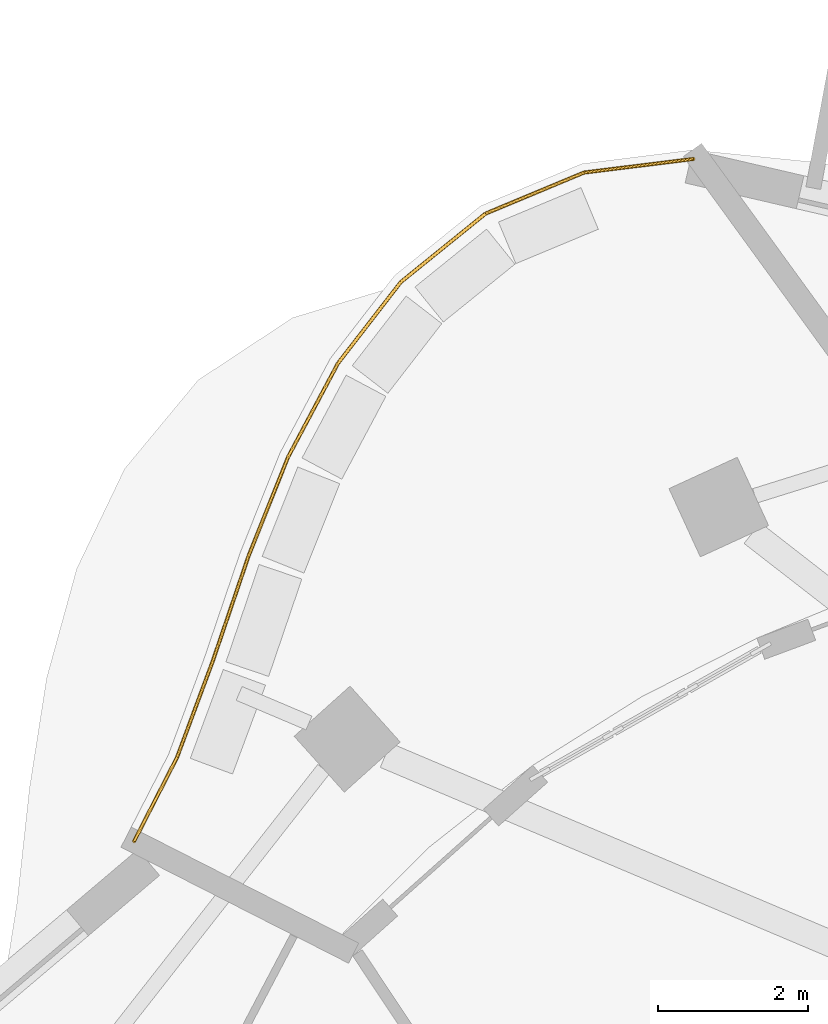
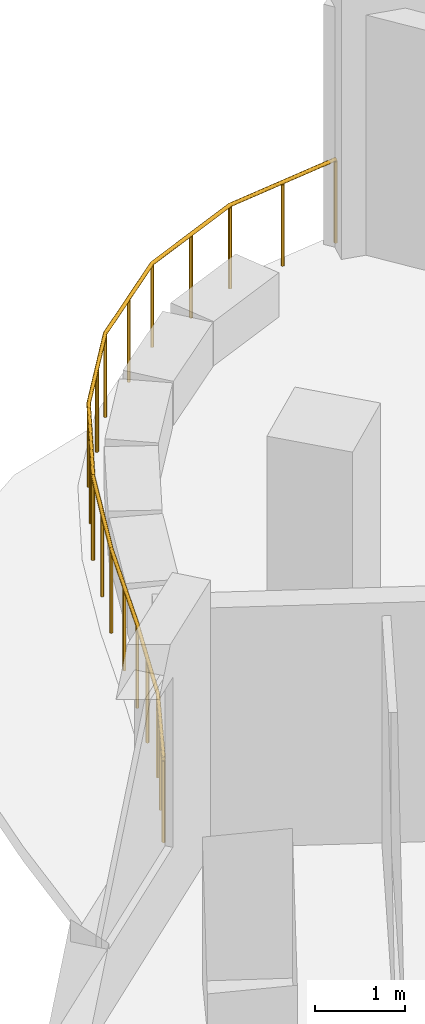
# One storey, part 13 of 13: 1 railing.
"""IFC4 building model written with IfcOpenShell, lengths in metres."""

from ifc_helpers import new_model, si_unit, direction, frame, origin, origin_2d, place, context, subcontext, project, spatial, circle, extrude, material, type_object, element, save


model = new_model("IFC4")

# Units and contexts
model_context = context("Model", 3, precision=1e-05, world=origin(), true_north=direction((0.0, 1.0)))
body_context = subcontext(model_context, "Body", "Model", "MODEL_VIEW")
ifc_project = project(units=[si_unit("LENGTHUNIT", "METRE"), si_unit("AREAUNIT", "SQUARE_METRE"), si_unit("VOLUMEUNIT", "CUBIC_METRE"), si_unit("PLANEANGLEUNIT", "RADIAN"), si_unit("MASSUNIT", "GRAM", prefix="KILO")], contexts=[model_context])

# Site, building, storey
site_placement = place(None, origin())
site = spatial("IfcSite", under=ifc_project, at=site_placement, CompositionType="ELEMENT")
building_placement = place(site_placement, origin())
building = spatial("IfcBuilding", under=site, at=building_placement, Name="Rubra Terraces Tower", CompositionType="ELEMENT")
storey_placement = place(building_placement, frame((0.0, 0.0, 189.60009765625)))
storey = spatial("IfcBuildingStorey", under=building, at=storey_placement, Name="L46", CompositionType="ELEMENT", Elevation=189.60009765625)

# Railing
ifc_material = material(Name="Steel, powder-coated dark grey", Category="steel")
railing_type = type_object("IfcRailingType", Name="Terrace guard 1150", PredefinedType="GUARDRAIL", material=ifc_material)
railing_placement = place(storey_placement, frame((-14.979248046875, 20.518798828125, 0.0)))
element("IfcRailing", 1, at=railing_placement, inside=storey, type_object=railing_type, Name="Terrace guard L46", PredefinedType="GUARDRAIL", context=body_context, shape_type="SweptSolid", body=[
    extrude(circle(Radius=0.02392578125, at=origin_2d()), frame((0.0, 0.0, 1.1259765625), z_axis=(-0.992326314714, -0.123646613892, 0.0), x_axis=(0.123646613892, -0.992326314714, 0.0)), (0.0, 0.0, 1.0), 1.470947265625),
    extrude(circle(Radius=0.02392578125, at=origin_2d()), frame((-1.459716796875, -0.181884765625, 1.1259765625), z_axis=(-0.922965096497, -0.384883658588, 0.0), x_axis=(0.384883658588, -0.922965096497, 0.0)), (0.0, 0.0, 1.0), 1.421630859375),
    extrude(circle(Radius=0.02392578125, at=origin_2d()), frame((-2.771728515625, -0.72900390625, 1.1259765625), z_axis=(-0.777817588404, -0.628490094726, 0.0), x_axis=(0.628490094726, -0.777817588404, 0.0)), (0.0, 0.0, 1.0), 1.448486328125),
    extrude(circle(Radius=0.02392578125, at=origin_2d()), frame((-3.8984375, -1.639404296875, 1.1259765625), z_axis=(-0.612011188649, -0.790849103792, 0.0), x_axis=(0.790849103792, -0.612011188649, 0.0)), (0.0, 0.0, 1.0), 1.367919921875),
    extrude(circle(Radius=0.02392578125, at=origin_2d()), frame((-4.735595703125, -2.72119140625, 1.1259765625), z_axis=(-0.469907620008, -0.882715598966, 0.0), x_axis=(0.882715598966, -0.469907620008, 0.0)), (0.0, 0.0, 1.0), 1.415283203125),
    extrude(circle(Radius=0.02392578125, at=origin_2d()), frame((-5.400634765625, -3.970458984375, 1.1259765625), z_axis=(-0.370827427919, -0.928701792128, 0.0), x_axis=(0.928701792128, -0.370827427919, 0.0)), (0.0, 0.0, 1.0), 1.420166015625),
    extrude(circle(Radius=0.02392578125, at=origin_2d()), frame((-5.92724609375, -5.289306640625, 1.1259765625), z_axis=(-0.322496181897, -0.946570764741, 0.0), x_axis=(0.946570764741, -0.322496181897, 0.0)), (0.0, 0.0, 1.0), 1.482177734375),
    extrude(circle(Radius=0.02392578125, at=origin_2d()), frame((-6.4052734375, -6.6923828125, 1.1259765625), z_axis=(-0.347908210673, -0.937528600602, 0.0), x_axis=(0.937528600602, -0.347908210673, 0.0)), (0.0, 0.0, 1.0), 1.365478515625),
    extrude(circle(Radius=0.02392578125, at=origin_2d()), frame((-6.88037109375, -7.97265625, 1.1259765625), z_axis=(-0.455522427248, -0.890224307843, 0.0), x_axis=(0.890224307843, -0.455522427248, 0.0)), (0.0, 0.0, 1.0), 1.254638671875),
    extrude(circle(Radius=0.02099609375, at=origin_2d()), origin(), (0.0, 0.0, 1.0), 1.101806640625),
    extrude(circle(Radius=0.02099609375, at=origin_2d()), frame((-0.72998046875, -0.0908203125, 0.0)), (0.0, 0.0, 1.0), 1.101806640625),
    extrude(circle(Radius=0.02099609375, at=origin_2d()), frame((-1.459716796875, -0.181884765625, 0.0)), (0.0, 0.0, 1.0), 1.101806640625),
    extrude(circle(Radius=0.02099609375, at=origin_2d()), frame((-2.11572265625, -0.45556640625, 0.0)), (0.0, 0.0, 1.0), 1.101806640625),
    extrude(circle(Radius=0.02099609375, at=origin_2d()), frame((-2.771728515625, -0.72900390625, 0.0)), (0.0, 0.0, 1.0), 1.101806640625),
    extrude(circle(Radius=0.02099609375, at=origin_2d()), frame((-3.3349609375, -1.18408203125, 0.0)), (0.0, 0.0, 1.0), 1.101806640625),
    extrude(circle(Radius=0.02099609375, at=origin_2d()), frame((-3.8984375, -1.639404296875, 0.0)), (0.0, 0.0, 1.0), 1.101806640625),
    extrude(circle(Radius=0.02099609375, at=origin_2d()), frame((-4.31689453125, -2.18017578125, 0.0)), (0.0, 0.0, 1.0), 1.101806640625),
    extrude(circle(Radius=0.02099609375, at=origin_2d()), frame((-4.735595703125, -2.72119140625, 0.0)), (0.0, 0.0, 1.0), 1.101806640625),
    extrude(circle(Radius=0.02099609375, at=origin_2d()), frame((-5.068115234375, -3.345703125, 0.0)), (0.0, 0.0, 1.0), 1.101806640625),
    extrude(circle(Radius=0.02099609375, at=origin_2d()), frame((-5.400634765625, -3.970458984375, 0.0)), (0.0, 0.0, 1.0), 1.101806640625),
    extrude(circle(Radius=0.02099609375, at=origin_2d()), frame((-5.6640625, -4.6298828125, 0.0)), (0.0, 0.0, 1.0), 1.101806640625),
    extrude(circle(Radius=0.02099609375, at=origin_2d()), frame((-5.92724609375, -5.289306640625, 0.0)), (0.0, 0.0, 1.0), 1.101806640625),
    extrude(circle(Radius=0.02099609375, at=origin_2d()), frame((-6.166259765625, -5.99072265625, 0.0)), (0.0, 0.0, 1.0), 1.101806640625),
    extrude(circle(Radius=0.02099609375, at=origin_2d()), frame((-6.4052734375, -6.6923828125, 0.0)), (0.0, 0.0, 1.0), 1.101806640625),
    extrude(circle(Radius=0.02099609375, at=origin_2d()), frame((-6.642822265625, -7.33251953125, 0.0)), (0.0, 0.0, 1.0), 1.101806640625),
    extrude(circle(Radius=0.02099609375, at=origin_2d()), frame((-6.88037109375, -7.97265625, 0.0)), (0.0, 0.0, 1.0), 1.101806640625),
    extrude(circle(Radius=0.02099609375, at=origin_2d()), frame((-7.166015625, -8.53125, 0.0)), (0.0, 0.0, 1.0), 1.101806640625),
    extrude(circle(Radius=0.02099609375, at=origin_2d()), frame((-7.451904296875, -9.089599609375, 0.0)), (0.0, 0.0, 1.0), 1.101806640625),
])

save(model, "model.ifc")
